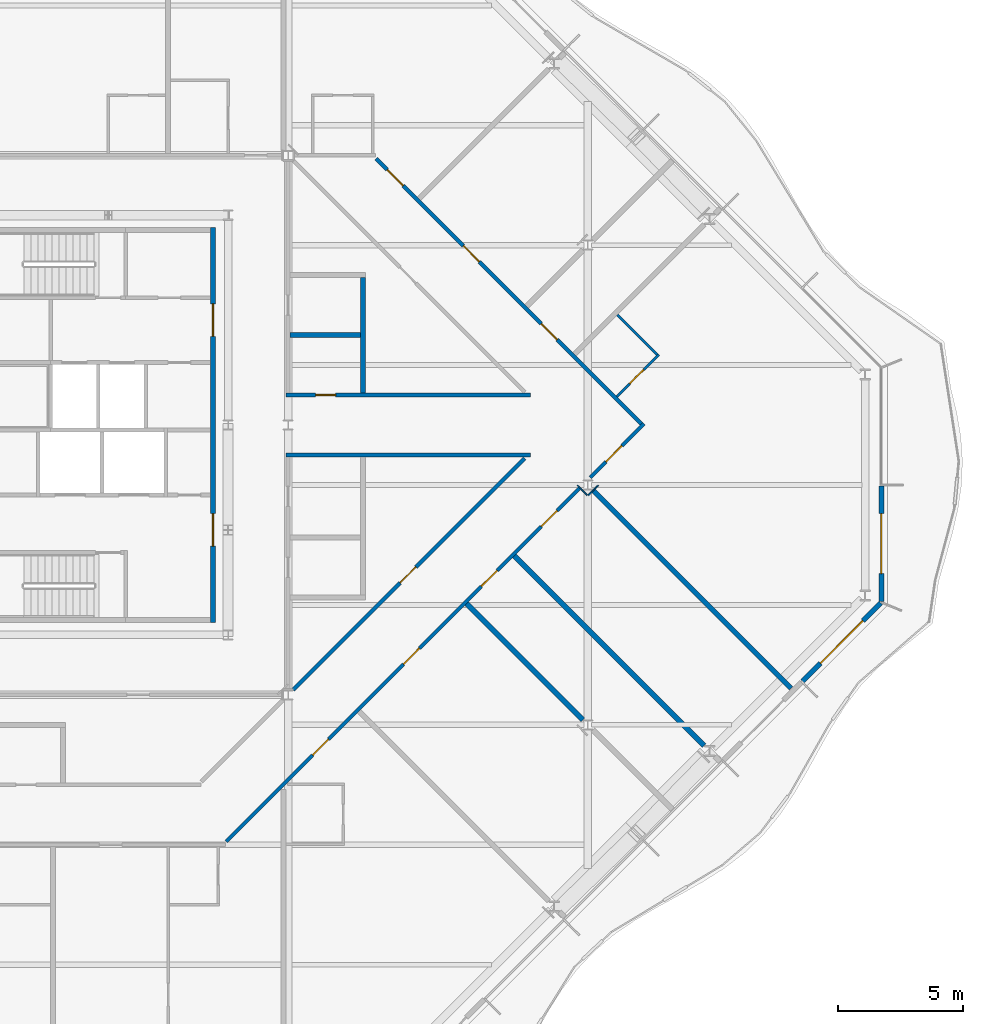
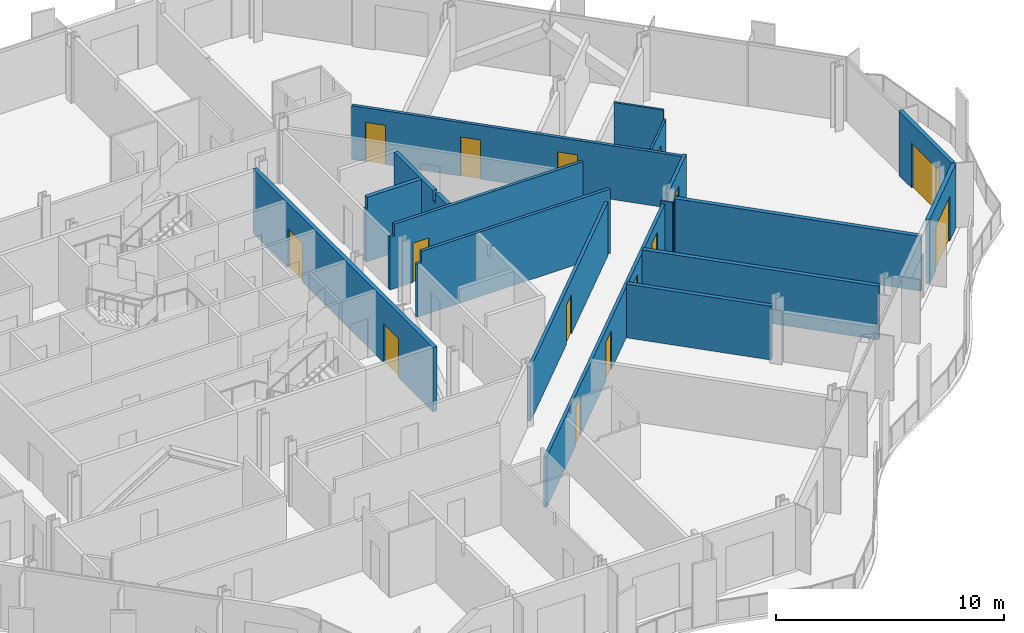
# One storey, part 10 of 17: 18 walls, 15 doors, 15 openings.
"""IFC4 building model written with IfcOpenShell, lengths in metres."""

from ifc_helpers import new_model, si_unit, direction, frame, frame_2d, origin, place, context, subcontext, project, spatial, polyline, rectangle, outline, extrude, material, layer, layer_set, type_object, element, fill, save


model = new_model("IFC4")

# Units and contexts
model_context = context("Model", 3, precision=1e-05, world=origin(), true_north=direction((0.0, 1.0)))
body_context = subcontext(model_context, "Body", "Model", "MODEL_VIEW")
ifc_project = project(units=[si_unit("LENGTHUNIT", "METRE"), si_unit("AREAUNIT", "SQUARE_METRE"), si_unit("VOLUMEUNIT", "CUBIC_METRE"), si_unit("PLANEANGLEUNIT", "RADIAN"), si_unit("MASSUNIT", "GRAM", prefix="KILO")], contexts=[model_context])

# Site, building, storey
site_placement = place(None, origin())
site = spatial("IfcSite", under=ifc_project, at=site_placement, CompositionType="ELEMENT")
building_placement = place(site_placement, origin())
building = spatial("IfcBuilding", under=site, at=building_placement, Name="Cairn Pilgrim Tower", CompositionType="ELEMENT")
storey_placement = place(building_placement, frame((0.0, 0.0, 221.39990234375)))
storey = spatial("IfcBuildingStorey", under=building, at=storey_placement, Name="L56", CompositionType="ELEMENT", Elevation=221.39990234375)

# Wall, opening, door
ifc_material_1 = material(Name="Bronze anodised aluminium insulated sandwich panel with mineral wool fill", Category="aluminium")
ifc_layer_1 = layer(ifc_material_1, 0.199951171875)
ifc_layer_set_1 = layer_set([ifc_layer_1], Name="BRONZE INFILL FRAME WALL 200")
wall_type_1 = type_object("IfcWallType", Name="BRONZE INFILL FRAME WALL 200", PredefinedType="NOTDEFINED", material=ifc_layer_set_1)
wall_1_placement = place(storey_placement, frame((39.795654296875, -7.850830078125, 0.0), z_axis=(0.0, 0.0, 1.0), x_axis=(0.707079168996, 0.707134392299, 0.0)))
wall_1 = element("IfcWall", 1, at=wall_1_placement, inside=storey, type_object=wall_type_1, Name="Bronze infill frame wall IW-SE6", PredefinedType="NOTDEFINED", context=body_context, shape_type="SweptSolid", body=[
    extrude(rectangle(XDim=4.4208984375, YDim=0.199951171875, at=frame_2d((2.21044921875, 0.0))), origin(), (0.0, 0.0, 1.0), 3.4501953125),
])
opening_1_placement = place(wall_1_placement, frame((1.015380859375, 0.0, 0.0)))
opening_1 = element("IfcOpeningElement", 2, at=opening_1_placement, cuts=wall_1, Name="Opening 5605B", PredefinedType="OPENING", context=body_context, shape_type="SweptSolid", body=[
    extrude(rectangle(XDim=2.39990234375, YDim=2.39990234375, at=frame_2d((1.199951171875, 1.199951171875))), frame((0.0, 0.10986328125, 0.0), z_axis=(0.0, -1.0, 0.0), x_axis=(1.0, 0.0, 0.0)), (0.0, 0.0, 1.0), 0.219970703125),
])
ifc_material_2 = material(Name="Bronze anodised aluminium frame with tinted low-E glass", Category="aluminium")
door_type_1 = type_object("IfcDoorType", Name="BALCONY SLIDING DOOR 2400x2400", OperationType="DOUBLE_DOOR_SLIDING", PredefinedType="DOOR", material=ifc_material_2)
door_1_placement = place(opening_1_placement, origin())
door_1 = element("IfcDoor", 3, at=door_1_placement, inside=storey, type_object=door_type_1, Name="Balcony sliding door 5605B", OperationType="SINGLE_SWING_LEFT", OverallHeight=2.39990234375, OverallWidth=2.39990234375, PredefinedType="DOOR", context=body_context, shape_type="SweptSolid", body=[
    extrude(rectangle(XDim=2.39990234375, YDim=2.39990234375, at=frame_2d((1.199951171875, 1.199951171875))), frame((0.0, 0.02490234375, 0.0), z_axis=(0.0, -1.0, 0.0), x_axis=(1.0, 0.0, 0.0)), (0.0, 0.0, 1.0), 0.050048828125),
])
fill(opening_1, door_1)

wall_2_placement = place(storey_placement, frame((42.949951171875, -4.656494140625, 0.0), z_axis=(0.0, 0.0, 1.0), x_axis=(0.0, 1.0, 0.0)))
wall_2 = element("IfcWall", 4, at=wall_2_placement, inside=storey, type_object=wall_type_1, Name="Bronze infill frame wall IW-E1", PredefinedType="NOTDEFINED", context=body_context, shape_type="SweptSolid", body=[
    extrude(rectangle(XDim=4.62646484375, YDim=0.199951171875, at=frame_2d((2.313232421875, 0.0))), origin(), (0.0, 0.0, 1.0), 3.4501953125),
])
opening_2_placement = place(wall_2_placement, frame((1.1083984375, 0.0, 0.0)))
opening_2 = element("IfcOpeningElement", 5, at=opening_2_placement, cuts=wall_2, Name="Opening 5605B2", PredefinedType="OPENING", context=body_context, shape_type="SweptSolid", body=[
    extrude(rectangle(XDim=2.39990234375, YDim=2.39990234375, at=frame_2d((1.199951171875, 1.199951171875))), frame((0.0, 0.10986328125, 0.0), z_axis=(0.0, -1.0, 0.0), x_axis=(1.0, 0.0, 0.0)), (0.0, 0.0, 1.0), 0.219970703125),
])
door_2_placement = place(opening_2_placement, origin())
door_2 = element("IfcDoor", 6, at=door_2_placement, inside=storey, type_object=door_type_1, Name="Balcony sliding door 5605B2", OperationType="SINGLE_SWING_LEFT", OverallHeight=2.39990234375, OverallWidth=2.39990234375, PredefinedType="DOOR", context=body_context, shape_type="SweptSolid", body=[
    extrude(rectangle(XDim=2.39990234375, YDim=2.39990234375, at=frame_2d((1.199951171875, 1.199951171875))), frame((0.0, 0.02490234375, 0.0), z_axis=(0.0, -1.0, 0.0), x_axis=(1.0, 0.0, 0.0)), (0.0, 0.0, 1.0), 0.050048828125),
])
fill(opening_2, door_2)

# Wall, openings, doors
ifc_material_3 = material(Name="Concrete C32/40", Category="concrete")
ifc_layer_2 = layer(ifc_material_3, 0.199951171875)
ifc_layer_set_2 = layer_set([ifc_layer_2], Name="CORE OUTER WALL 200 EI 120")
wall_type_2 = type_object("IfcWallType", Name="CORE OUTER WALL 200 EI 120", PredefinedType="SOLIDWALL", material=ifc_layer_set_2)
wall_3_placement = place(storey_placement, frame((16.199951171875, -5.5, 0.0), z_axis=(0.0, 0.0, 1.0), x_axis=(0.0, 1.0, 0.0)))
wall_3 = element("IfcWall", 7, at=wall_3_placement, inside=storey, type_object=wall_type_2, Name="CW:L56:V29", PredefinedType="SOLIDWALL", context=body_context, shape_type="SweptSolid", body=[
    extrude(rectangle(XDim=15.800048828125, YDim=0.199951171875, at=frame_2d((7.89990234375, 0.0))), origin(), (0.0, 0.0, 1.0), 3.4501953125),
])
opening_3_placement = place(wall_3_placement, frame((3.050048828125, 0.0, 0.0)))
opening_3 = element("IfcOpeningElement", 8, at=opening_3_placement, cuts=wall_3, Name="Opening CD-E1", PredefinedType="OPENING", context=body_context, shape_type="SweptSolid", body=[
    extrude(rectangle(XDim=1.300048828125, YDim=2.10009765625, at=frame_2d((0.64990234375, 1.050048828125))), frame((0.0, 0.10986328125, 0.0), z_axis=(0.0, -1.0, 0.0), x_axis=(1.0, 0.0, 0.0)), (0.0, 0.0, 1.0), 0.219970703125),
])
opening_4_placement = place(wall_3_placement, frame((11.449951171875, 0.0, 0.0)))
opening_4 = element("IfcOpeningElement", 9, at=opening_4_placement, cuts=wall_3, Name="Opening CD-E2", PredefinedType="OPENING", context=body_context, shape_type="SweptSolid", body=[
    extrude(rectangle(XDim=1.300048828125, YDim=2.10009765625, at=frame_2d((0.64990234375, 1.050048828125))), frame((0.0, 0.10986328125, 0.0), z_axis=(0.0, -1.0, 0.0), x_axis=(1.0, 0.0, 0.0)), (0.0, 0.0, 1.0), 0.219970703125),
])
ifc_material_4 = material(Name="Painted steel", Category="steel")
door_type_2 = type_object("IfcDoorType", Name="CORE LOBBY DOOR 1300x2100", OperationType="DOUBLE_DOOR_SINGLE_SWING", PredefinedType="DOOR", material=ifc_material_4)
door_3_placement = place(opening_3_placement, origin())
door_3 = element("IfcDoor", 10, at=door_3_placement, inside=storey, type_object=door_type_2, Name="CD-E1", OperationType="DOUBLE_DOOR_SINGLE_SWING", OverallHeight=2.10009765625, OverallWidth=1.300048828125, PredefinedType="DOOR", context=body_context, shape_type="SweptSolid", body=[
    extrude(rectangle(XDim=1.300048828125, YDim=2.10009765625, at=frame_2d((0.64990234375, 1.050048828125))), frame((0.0, 0.02490234375, 0.0), z_axis=(0.0, -1.0, 0.0), x_axis=(1.0, 0.0, 0.0)), (0.0, 0.0, 1.0), 0.050048828125),
])
fill(opening_3, door_3)
door_4_placement = place(opening_4_placement, origin())
door_4 = element("IfcDoor", 11, at=door_4_placement, inside=storey, type_object=door_type_2, Name="CD-E2", OperationType="DOUBLE_DOOR_SINGLE_SWING", OverallHeight=2.10009765625, OverallWidth=1.300048828125, PredefinedType="DOOR", context=body_context, shape_type="SweptSolid", body=[
    extrude(rectangle(XDim=1.300048828125, YDim=2.10009765625, at=frame_2d((0.64990234375, 1.050048828125))), frame((0.0, 0.02490234375, 0.0), z_axis=(0.0, -1.0, 0.0), x_axis=(1.0, 0.0, 0.0)), (0.0, 0.0, 1.0), 0.050048828125),
])
fill(opening_4, door_4)

# Wall, opening, door
ifc_material_5 = material(Name="Gypsum partition")
ifc_layer_3 = layer(ifc_material_5, 0.10009765625)
ifc_layer_set_3 = layer_set([ifc_layer_3], Name="PARTITION 100 DRYWALL")
wall_type_3 = type_object("IfcWallType", Name="PARTITION 100 DRYWALL", PredefinedType="PARTITIONING", material=ifc_layer_set_3)
wall_4_placement = place(storey_placement, frame((32.35888671875, 3.541015625, 0.0), z_axis=(0.0, 0.0, 1.0), x_axis=(0.707158179099, 0.707055379538, 0.0)))
wall_4 = element("IfcWall", 12, at=wall_4_placement, inside=storey, type_object=wall_type_3, Name="PARTITION W049", PredefinedType="PARTITIONING", context=body_context, shape_type="SweptSolid", body=[
    extrude(rectangle(XDim=2.375, YDim=0.10009765625, at=frame_2d((1.1875, 0.0))), origin(), (0.0, 0.0, 1.0), 2.93017578125),
])
opening_5_placement = place(wall_4_placement, frame((0.72509765625, 0.0, 0.0)))
opening_5 = element("IfcOpeningElement", 13, at=opening_5_placement, cuts=wall_4, Name="Opening 5605A", PredefinedType="OPENING", context=body_context, shape_type="SweptSolid", body=[
    extrude(rectangle(XDim=0.800048828125, YDim=2.10009765625, at=frame_2d((0.39990234375, 1.050048828125))), frame((0.0, 0.06005859375, 0.0), z_axis=(0.0, -1.0, 0.0), x_axis=(1.0, 0.0, 0.0)), (0.0, 0.0, 1.0), 0.1201171875),
])
ifc_material_6 = material(Name="Timber door leaf", Category="wood")
door_type_3 = type_object("IfcDoorType", Name="WC DOOR 800x2100", OperationType="NOTDEFINED", PredefinedType="DOOR", material=ifc_material_6)
door_5_placement = place(opening_5_placement, frame((0.800048828125, 0.0, 0.0), z_axis=(0.0, 0.0, 1.0), x_axis=(-1.0, 0.0, 0.0)))
door_5 = element("IfcDoor", 14, at=door_5_placement, inside=storey, type_object=door_type_3, Name="DOOR 5605A", OperationType="SINGLE_SWING_LEFT", OverallHeight=2.10009765625, OverallWidth=0.800048828125, PredefinedType="DOOR", context=body_context, shape_type="SweptSolid", body=[
    extrude(rectangle(XDim=0.800048828125, YDim=2.10009765625, at=frame_2d((0.39990234375, 1.050048828125))), frame((0.0, 0.02490234375, 0.0), z_axis=(0.0, -1.0, 0.0), x_axis=(1.0, 0.0, 0.0)), (0.0, 0.0, 1.0), 0.050048828125),
])
fill(opening_5, door_5)

# Wall
wall_5_placement = place(storey_placement, frame((33.967529296875, 5.220458984375, 0.0), z_axis=(0.0, 0.0, 1.0), x_axis=(-0.707106781187, 0.707106781187, 0.0)))
element("IfcWall", 15, at=wall_5_placement, inside=storey, type_object=wall_type_3, Name="PARTITION W055", PredefinedType="PARTITIONING", context=body_context, shape_type="SweptSolid", body=[
    extrude(rectangle(XDim=2.249755859375, YDim=0.10009765625, at=frame_2d((1.125, 0.0))), origin(), (0.0, 0.0, 1.0), 3.4501953125),
])

# Wall, openings, doors
ifc_layer_4 = layer(ifc_material_5, 0.14990234375)
ifc_layer_set_4 = layer_set([ifc_layer_4], Name="PARTITION 150 DRYWALL EI 60")
wall_type_4 = type_object("IfcWallType", Name="PARTITION 150 DRYWALL EI 60", PredefinedType="PARTITIONING", material=ifc_layer_set_4)
wall_6_placement = place(storey_placement, frame((16.721923828125, -14.27197265625, 0.0), z_axis=(0.0, 0.0, 1.0), x_axis=(0.707106781187, 0.707106781187, 0.0)))
wall_6 = element("IfcWall", 16, at=wall_6_placement, inside=storey, type_object=wall_type_4, Name="PARTITION W013", PredefinedType="PARTITIONING", context=body_context, shape_type="SweptSolid", body=[
    extrude(rectangle(XDim=20.04931640625, YDim=0.14990234375, at=frame_2d((10.024658203125, 0.0))), origin(), (0.0, 0.0, 1.0), 2.72998046875),
])
opening_6_placement = place(wall_6_placement, frame((4.891845703125, 0.0, 0.0)))
opening_6 = element("IfcOpeningElement", 17, at=opening_6_placement, cuts=wall_6, Name="Opening 5601", PredefinedType="OPENING", context=body_context, shape_type="SweptSolid", body=[
    extrude(rectangle(XDim=0.89990234375, YDim=2.10009765625, at=frame_2d((0.449951171875, 1.050048828125))), frame((0.0, 0.0849609375, 0.0), z_axis=(0.0, -1.0, 0.0), x_axis=(1.0, 0.0, 0.0)), (0.0, 0.0, 1.0), 0.169921875),
])
opening_7_placement = place(wall_6_placement, frame((10.0419921875, 0.0, 0.0)))
opening_7 = element("IfcOpeningElement", 18, at=opening_7_placement, cuts=wall_6, Name="Opening 5602", PredefinedType="OPENING", context=body_context, shape_type="SweptSolid", body=[
    extrude(rectangle(XDim=0.89990234375, YDim=2.10009765625, at=frame_2d((0.449951171875, 1.050048828125))), frame((0.0, 0.0849609375, 0.0), z_axis=(0.0, -1.0, 0.0), x_axis=(1.0, 0.0, 0.0)), (0.0, 0.0, 1.0), 0.169921875),
])
opening_8_placement = place(wall_6_placement, frame((14.443115234375, 0.0, 0.0)))
opening_8 = element("IfcOpeningElement", 19, at=opening_8_placement, cuts=wall_6, Name="Opening 5603", PredefinedType="OPENING", context=body_context, shape_type="SweptSolid", body=[
    extrude(rectangle(XDim=0.89990234375, YDim=2.10009765625, at=frame_2d((0.449951171875, 1.050048828125))), frame((0.0, 0.0849609375, 0.0), z_axis=(0.0, -1.0, 0.0), x_axis=(1.0, 0.0, 0.0)), (0.0, 0.0, 1.0), 0.169921875),
])
opening_9_placement = place(wall_6_placement, frame((17.837158203125, 0.0, 0.0)))
opening_9 = element("IfcOpeningElement", 20, at=opening_9_placement, cuts=wall_6, Name="Opening 5604", PredefinedType="OPENING", context=body_context, shape_type="SweptSolid", body=[
    extrude(rectangle(XDim=0.89990234375, YDim=2.10009765625, at=frame_2d((0.449951171875, 1.050048828125))), frame((0.0, 0.0849609375, 0.0), z_axis=(0.0, -1.0, 0.0), x_axis=(1.0, 0.0, 0.0)), (0.0, 0.0, 1.0), 0.169921875),
])
door_type_4 = type_object("IfcDoorType", Name="ROOM DOOR 900x2100 FD30S", OperationType="NOTDEFINED", PredefinedType="DOOR", material=ifc_material_6)
door_6_placement = place(opening_6_placement, frame((0.89990234375, 0.0, 0.0), z_axis=(0.0, 0.0, 1.0), x_axis=(-1.0, 0.0, 0.0)))
door_6 = element("IfcDoor", 21, at=door_6_placement, inside=storey, type_object=door_type_4, Name="DOOR 5601", OperationType="SINGLE_SWING_LEFT", OverallHeight=2.10009765625, OverallWidth=0.89990234375, PredefinedType="DOOR", context=body_context, shape_type="SweptSolid", body=[
    extrude(rectangle(XDim=0.89990234375, YDim=2.10009765625, at=frame_2d((0.449951171875, 1.050048828125))), frame((0.0, 0.02490234375, 0.0), z_axis=(0.0, -1.0, 0.0), x_axis=(1.0, 0.0, 0.0)), (0.0, 0.0, 1.0), 0.050048828125),
])
fill(opening_6, door_6)
door_type_5 = type_object("IfcDoorType", Name="SERVICE DOOR 900x2100 FD30S", OperationType="NOTDEFINED", PredefinedType="DOOR", material=ifc_material_6)
door_7_placement = place(opening_7_placement, frame((0.89990234375, 0.0, 0.0), z_axis=(0.0, 0.0, 1.0), x_axis=(-1.0, 0.0, 0.0)))
door_7 = element("IfcDoor", 22, at=door_7_placement, inside=storey, type_object=door_type_5, Name="DOOR 5602", OperationType="SINGLE_SWING_LEFT", OverallHeight=2.10009765625, OverallWidth=0.89990234375, PredefinedType="DOOR", context=body_context, shape_type="SweptSolid", body=[
    extrude(rectangle(XDim=0.89990234375, YDim=2.10009765625, at=frame_2d((0.449951171875, 1.050048828125))), frame((0.0, 0.02490234375, 0.0), z_axis=(0.0, -1.0, 0.0), x_axis=(1.0, 0.0, 0.0)), (0.0, 0.0, 1.0), 0.050048828125),
])
fill(opening_7, door_7)
door_8_placement = place(opening_8_placement, frame((0.89990234375, 0.0, 0.0), z_axis=(0.0, 0.0, 1.0), x_axis=(-1.0, 0.0, 0.0)))
door_8 = element("IfcDoor", 23, at=door_8_placement, inside=storey, type_object=door_type_5, Name="DOOR 5603", OperationType="SINGLE_SWING_LEFT", OverallHeight=2.10009765625, OverallWidth=0.89990234375, PredefinedType="DOOR", context=body_context, shape_type="SweptSolid", body=[
    extrude(rectangle(XDim=0.89990234375, YDim=2.10009765625, at=frame_2d((0.449951171875, 1.050048828125))), frame((0.0, 0.02490234375, 0.0), z_axis=(0.0, -1.0, 0.0), x_axis=(1.0, 0.0, 0.0)), (0.0, 0.0, 1.0), 0.050048828125),
])
fill(opening_8, door_8)
door_9_placement = place(opening_9_placement, frame((0.89990234375, 0.0, 0.0), z_axis=(0.0, 0.0, 1.0), x_axis=(-1.0, 0.0, 0.0)))
door_9 = element("IfcDoor", 24, at=door_9_placement, inside=storey, type_object=door_type_5, Name="DOOR 5604", OperationType="SINGLE_SWING_LEFT", OverallHeight=2.10009765625, OverallWidth=0.89990234375, PredefinedType="DOOR", context=body_context, shape_type="SweptSolid", body=[
    extrude(rectangle(XDim=0.89990234375, YDim=2.10009765625, at=frame_2d((0.449951171875, 1.050048828125))), frame((0.0, 0.02490234375, 0.0), z_axis=(0.0, -1.0, 0.0), x_axis=(1.0, 0.0, 0.0)), (0.0, 0.0, 1.0), 0.050048828125),
])
fill(opening_9, door_9)

# Wall, opening, door
wall_7_placement = place(storey_placement, frame((19.39794921875, -8.201904296875, 0.0), z_axis=(0.0, 0.0, 1.0), x_axis=(0.707116088468, 0.707097473782, 0.0)))
wall_7 = element("IfcWall", 25, at=wall_7_placement, inside=storey, type_object=wall_type_4, Name="PARTITION W034", PredefinedType="PARTITIONING", context=body_context, shape_type="SweptSolid", body=[
    extrude(rectangle(XDim=13.115478515625, YDim=0.14990234375, at=frame_2d((6.5576171875, 0.0))), origin(), (0.0, 0.0, 1.0), 2.880126953125),
])
opening_10_placement = place(wall_7_placement, frame((6.05810546875, 0.0, 0.0)))
opening_10 = element("IfcOpeningElement", 26, at=opening_10_placement, cuts=wall_7, Name="Opening 5620", PredefinedType="OPENING", context=body_context, shape_type="SweptSolid", body=[
    extrude(rectangle(XDim=0.89990234375, YDim=2.10009765625, at=frame_2d((0.449951171875, 1.050048828125))), frame((0.0, 0.0849609375, 0.0), z_axis=(0.0, -1.0, 0.0), x_axis=(1.0, 0.0, 0.0)), (0.0, 0.0, 1.0), 0.169921875),
])
door_10_placement = place(opening_10_placement, origin())
door_10 = element("IfcDoor", 27, at=door_10_placement, inside=storey, type_object=door_type_5, Name="DOOR 5620", OperationType="SINGLE_SWING_LEFT", OverallHeight=2.10009765625, OverallWidth=0.89990234375, PredefinedType="DOOR", context=body_context, shape_type="SweptSolid", body=[
    extrude(rectangle(XDim=0.89990234375, YDim=2.10009765625, at=frame_2d((0.449951171875, 1.050048828125))), frame((0.0, 0.02490234375, 0.0), z_axis=(0.0, -1.0, 0.0), x_axis=(1.0, 0.0, 0.0)), (0.0, 0.0, 1.0), 0.050048828125),
])
fill(opening_10, door_10)

wall_8_placement = place(storey_placement, frame((31.294921875, 0.301025390625, 0.0), z_axis=(0.0, 0.0, 1.0), x_axis=(0.707146890479, 0.707066669618, 0.0)))
wall_8 = element("IfcWall", 28, at=wall_8_placement, inside=storey, type_object=wall_type_4, Name="PARTITION W044", PredefinedType="PARTITIONING", context=body_context, shape_type="SweptSolid", body=[
    extrude(rectangle(XDim=3.04345703125, YDim=0.14990234375, at=frame_2d((1.521728515625, 0.0))), origin(), (0.0, 0.0, 1.0), 2.93017578125),
])
opening_11_placement = place(wall_8_placement, frame((0.89453125, 0.0, 0.0)))
opening_11 = element("IfcOpeningElement", 29, at=opening_11_placement, cuts=wall_8, Name="Opening 5605", PredefinedType="OPENING", context=body_context, shape_type="SweptSolid", body=[
    extrude(rectangle(XDim=0.89990234375, YDim=2.10009765625, at=frame_2d((0.449951171875, 1.050048828125))), frame((0.0, 0.0849609375, 0.0), z_axis=(0.0, -1.0, 0.0), x_axis=(1.0, 0.0, 0.0)), (0.0, 0.0, 1.0), 0.169921875),
])
door_11_placement = place(opening_11_placement, frame((0.89990234375, 0.0, 0.0), z_axis=(0.0, 0.0, 1.0), x_axis=(-1.0, 0.0, 0.0)))
door_11 = element("IfcDoor", 30, at=door_11_placement, inside=storey, type_object=door_type_4, Name="DOOR 5605", OperationType="SINGLE_SWING_LEFT", OverallHeight=2.10009765625, OverallWidth=0.89990234375, PredefinedType="DOOR", context=body_context, shape_type="SweptSolid", body=[
    extrude(rectangle(XDim=0.89990234375, YDim=2.10009765625, at=frame_2d((0.449951171875, 1.050048828125))), frame((0.0, 0.02490234375, 0.0), z_axis=(0.0, -1.0, 0.0), x_axis=(1.0, 0.0, 0.0)), (0.0, 0.0, 1.0), 0.050048828125),
])
fill(opening_11, door_11)

# Wall
wall_9_placement = place(storey_placement, frame((19.125, 1.199951171875, 0.0), z_axis=(0.0, 0.0, 1.0), x_axis=(1.0, 0.0, 0.0)))
element("IfcWall", 31, at=wall_9_placement, inside=storey, type_object=wall_type_4, Name="PARTITION W045", PredefinedType="PARTITIONING", context=body_context, shape_type="SweptSolid", body=[
    extrude(outline(polyline([(0.0, 0.0), (9.781005859375, 0.0), (9.781005859375, 3.4501953125), (0.22509765625, 3.4501953125), (0.222900390625, 2.830078125), (0.0, 2.830078125), (0.0, 0.0)])), frame((0.0, 0.074951171875, 0.0), z_axis=(0.0, -1.0, 0.0), x_axis=(1.0, 0.0, 0.0)), (0.0, 0.0, 1.0), 0.14990234375),
])

# Wall, openings, doors
wall_10_placement = place(storey_placement, frame((33.341064453125, 2.452880859375, 0.0), z_axis=(0.0, 0.0, 1.0), x_axis=(-0.707098652635, 0.707114909645, 0.0)))
wall_10 = element("IfcWall", 32, at=wall_10_placement, inside=storey, type_object=wall_type_4, Name="PARTITION W047", PredefinedType="PARTITIONING", context=body_context, shape_type="SweptSolid", body=[
    extrude(rectangle(XDim=15.017578125, YDim=0.14990234375, at=frame_2d((7.5087890625, 0.0))), origin(), (0.0, 0.0, 1.0), 2.880126953125),
])
opening_12_placement = place(wall_10_placement, frame((4.765625, 0.0, 0.0)))
opening_12 = element("IfcOpeningElement", 33, at=opening_12_placement, cuts=wall_10, Name="Opening 5606", PredefinedType="OPENING", context=body_context, shape_type="SweptSolid", body=[
    extrude(rectangle(XDim=0.89990234375, YDim=2.10009765625, at=frame_2d((0.449951171875, 1.050048828125))), frame((0.0, 0.0849609375, 0.0), z_axis=(0.0, -1.0, 0.0), x_axis=(1.0, 0.0, 0.0)), (0.0, 0.0, 1.0), 0.169921875),
])
opening_13_placement = place(wall_10_placement, frame((9.166748046875, 0.0, 0.0)))
opening_13 = element("IfcOpeningElement", 34, at=opening_13_placement, cuts=wall_10, Name="Opening 5607", PredefinedType="OPENING", context=body_context, shape_type="SweptSolid", body=[
    extrude(rectangle(XDim=0.89990234375, YDim=2.10009765625, at=frame_2d((0.449951171875, 1.050048828125))), frame((0.0, 0.0849609375, 0.0), z_axis=(0.0, -1.0, 0.0), x_axis=(1.0, 0.0, 0.0)), (0.0, 0.0, 1.0), 0.169921875),
])
opening_14_placement = place(wall_10_placement, frame((13.482421875, 0.0, 0.0)))
opening_14 = element("IfcOpeningElement", 35, at=opening_14_placement, cuts=wall_10, Name="Opening 5608", PredefinedType="OPENING", context=body_context, shape_type="SweptSolid", body=[
    extrude(rectangle(XDim=0.89990234375, YDim=2.10009765625, at=frame_2d((0.449951171875, 1.050048828125))), frame((0.0, 0.0849609375, 0.0), z_axis=(0.0, -1.0, 0.0), x_axis=(1.0, 0.0, 0.0)), (0.0, 0.0, 1.0), 0.169921875),
])
door_12_placement = place(opening_14_placement, frame((0.89990234375, 0.0, 0.0), z_axis=(0.0, 0.0, 1.0), x_axis=(-1.0, 0.0, 0.0)))
door_12 = element("IfcDoor", 36, at=door_12_placement, inside=storey, type_object=door_type_4, Name="DOOR 5608", OperationType="SINGLE_SWING_LEFT", OverallHeight=2.10009765625, OverallWidth=0.89990234375, PredefinedType="DOOR", context=body_context, shape_type="SweptSolid", body=[
    extrude(rectangle(XDim=0.89990234375, YDim=2.10009765625, at=frame_2d((0.449951171875, 1.050048828125))), frame((0.0, 0.02490234375, 0.0), z_axis=(0.0, -1.0, 0.0), x_axis=(1.0, 0.0, 0.0)), (0.0, 0.0, 1.0), 0.050048828125),
])
fill(opening_14, door_12)
door_13_placement = place(opening_12_placement, frame((0.89990234375, 0.0, 0.0), z_axis=(0.0, 0.0, 1.0), x_axis=(-1.0, 0.0, 0.0)))
door_13 = element("IfcDoor", 37, at=door_13_placement, inside=storey, type_object=door_type_5, Name="DOOR 5606", OperationType="SINGLE_SWING_LEFT", OverallHeight=2.10009765625, OverallWidth=0.89990234375, PredefinedType="DOOR", context=body_context, shape_type="SweptSolid", body=[
    extrude(rectangle(XDim=0.89990234375, YDim=2.10009765625, at=frame_2d((0.449951171875, 1.050048828125))), frame((0.0, 0.02490234375, 0.0), z_axis=(0.0, -1.0, 0.0), x_axis=(1.0, 0.0, 0.0)), (0.0, 0.0, 1.0), 0.050048828125),
])
fill(opening_12, door_13)
door_14_placement = place(opening_13_placement, frame((0.89990234375, 0.0, 0.0), z_axis=(0.0, 0.0, 1.0), x_axis=(-1.0, 0.0, 0.0)))
door_14 = element("IfcDoor", 38, at=door_14_placement, inside=storey, type_object=door_type_5, Name="DOOR 5607", OperationType="SINGLE_SWING_LEFT", OverallHeight=2.10009765625, OverallWidth=0.89990234375, PredefinedType="DOOR", context=body_context, shape_type="SweptSolid", body=[
    extrude(rectangle(XDim=0.89990234375, YDim=2.10009765625, at=frame_2d((0.449951171875, 1.050048828125))), frame((0.0, 0.02490234375, 0.0), z_axis=(0.0, -1.0, 0.0), x_axis=(1.0, 0.0, 0.0)), (0.0, 0.0, 1.0), 0.050048828125),
])
fill(opening_13, door_14)

# Wall, opening, door
wall_11_placement = place(storey_placement, frame((19.125, 3.60009765625, 0.0), z_axis=(0.0, 0.0, 1.0), x_axis=(1.0, 0.0, 0.0)))
wall_11 = element("IfcWall", 39, at=wall_11_placement, inside=storey, type_object=wall_type_4, Name="PARTITION W050", PredefinedType="PARTITIONING", context=body_context, shape_type="SweptSolid", body=[
    extrude(outline(polyline([(0.0, 0.0), (9.781005859375, 0.0), (9.781005859375, 3.4501953125), (0.22509765625, 3.4501953125), (0.222900390625, 2.830078125), (0.0, 2.830078125), (0.0, 0.0)])), frame((0.0, 0.074951171875, 0.0), z_axis=(0.0, -1.0, 0.0), x_axis=(1.0, 0.0, 0.0)), (0.0, 0.0, 1.0), 0.14990234375),
])
opening_15_placement = place(wall_11_placement, frame((1.175048828125, 0.0, 0.0)))
opening_15 = element("IfcOpeningElement", 40, at=opening_15_placement, cuts=wall_11, Name="Opening 5616", PredefinedType="OPENING", context=body_context, shape_type="SweptSolid", body=[
    extrude(rectangle(XDim=0.800048828125, YDim=2.10009765625, at=frame_2d((0.39990234375, 1.050048828125))), frame((0.0, 0.0849609375, 0.0), z_axis=(0.0, -1.0, 0.0), x_axis=(1.0, 0.0, 0.0)), (0.0, 0.0, 1.0), 0.169921875),
])
door_type_6 = type_object("IfcDoorType", Name="WC DOOR 800x2100 FD30S", OperationType="NOTDEFINED", PredefinedType="DOOR", material=ifc_material_6)
door_15_placement = place(opening_15_placement, origin())
door_15 = element("IfcDoor", 41, at=door_15_placement, inside=storey, type_object=door_type_6, Name="DOOR 5616", OperationType="SINGLE_SWING_RIGHT", OverallHeight=2.10009765625, OverallWidth=0.800048828125, PredefinedType="DOOR", context=body_context, shape_type="SweptSolid", body=[
    extrude(rectangle(XDim=0.800048828125, YDim=2.10009765625, at=frame_2d((0.39990234375, 1.050048828125))), frame((0.0, 0.02490234375, 0.0), z_axis=(0.0, -1.0, 0.0), x_axis=(1.0, 0.0, 0.0)), (0.0, 0.0, 1.0), 0.050048828125),
])
fill(opening_15, door_15)

# Walls
ifc_layer_5 = layer(ifc_material_5, 0.050048828125)
ifc_layer_set_5 = layer_set([ifc_layer_5], Name="PARTITION 50 DRYWALL EI 60")
wall_type_5 = type_object("IfcWallType", Name="PARTITION 50 DRYWALL EI 60", PredefinedType="PARTITIONING", material=ifc_layer_set_5)
for number, where, z_axis, x_axis, name in (
    (42, (31.2177734375, -0.413818359375, 0.0), (0.0, 0.0, 1.0), (0.706888841063, 0.707324654159, 0.0), "COLUMN CASING WC03"),
    (43, (31.182373046875, -0.413818359375, 0.0), (0.0, 0.0, 1.0), (-0.706888841063, 0.707324654159, 0.0), "COLUMN CASING WC15"),
):
    element("IfcWall", number, at=place(storey_placement, frame(where, z_axis=z_axis, x_axis=x_axis)), inside=storey, type_object=wall_type_5, Name=name, PredefinedType="PARTITIONING", context=body_context, shape_type="SweptSolid", body=[
        extrude(rectangle(XDim=0.560302734375, YDim=0.050048828125, at=frame_2d((0.2802734375, 0.0))), origin(), (0.0, 0.0, 1.0), 2.880126953125),
    ])
ifc_layer_6 = layer(ifc_material_5, 0.199951171875)
ifc_layer_set_6 = layer_set([ifc_layer_6], Name="SHAFT WALL 200 GYPSUM EI 60")
wall_type_6 = type_object("IfcWallType", Name="SHAFT WALL 200 GYPSUM EI 60", PredefinedType="PARTITIONING", material=ifc_layer_set_6)
wall_12_placement = place(storey_placement, frame((35.860107421875, -10.43603515625, 0.0), z_axis=(0.0, 0.0, 1.0), x_axis=(-0.707106781187, 0.707106781187, 0.0)))
element("IfcWall", 44, at=wall_12_placement, inside=storey, type_object=wall_type_6, Name="PARTITION W027", PredefinedType="PARTITIONING", context=body_context, shape_type="SweptSolid", body=[
    extrude(rectangle(XDim=10.745361328125, YDim=0.199951171875, at=frame_2d((5.37255859375, 0.0))), origin(), (0.0, 0.0, 1.0), 2.880126953125),
])
wall_13_placement = place(storey_placement, frame((31.001953125, -9.402099609375, 0.0), z_axis=(0.0, 0.0, 1.0), x_axis=(-0.707088226093, 0.707125335793, 0.0)))
element("IfcWall", 45, at=wall_13_placement, inside=storey, type_object=wall_type_6, Name="PARTITION W029", PredefinedType="PARTITIONING", context=body_context, shape_type="SweptSolid", body=[
    extrude(rectangle(XDim=6.578857421875, YDim=0.199951171875, at=frame_2d((3.28955078125, 0.0))), origin(), (0.0, 0.0, 1.0), 2.880126953125),
])
wall_14_placement = place(storey_placement, frame((39.331298828125, -8.13134765625, 0.0), z_axis=(0.0, 0.0, 1.0), x_axis=(-0.707106781187, 0.707106781187, 0.0)))
element("IfcWall", 46, at=wall_14_placement, inside=storey, type_object=wall_type_6, Name="PARTITION W035", PredefinedType="PARTITIONING", context=body_context, shape_type="SweptSolid", body=[
    extrude(rectangle(XDim=11.219482421875, YDim=0.199951171875, at=frame_2d((5.60986328125, 0.0))), origin(), (0.0, 0.0, 1.0), 2.93017578125),
])
wall_15_placement = place(storey_placement, frame((22.199951171875, 3.675048828125, 0.0), z_axis=(0.0, 0.0, 1.0), x_axis=(0.0, 1.0, 0.0)))
element("IfcWall", 47, at=wall_15_placement, inside=storey, type_object=wall_type_6, Name="PARTITION W052", PredefinedType="PARTITIONING", context=body_context, shape_type="SweptSolid", body=[
    extrude(outline(polyline([(0.0, 0.0), (4.625, 0.0), (4.625, 3.4501953125), (1.22998046875, 3.4501953125), (1.22802734375, 2.880126953125), (1.02001953125, 2.880126953125), (1.01806640625, 3.4501953125), (0.0, 3.4501953125), (0.0, 0.0)])), frame((0.0, 0.10009765625, 0.0), z_axis=(0.0, -1.0, 0.0), x_axis=(1.0, 0.0, 0.0)), (0.0, 0.0, 1.0), 0.199951171875),
])
wall_16_placement = place(storey_placement, frame((19.27490234375, 6.0, 0.0), z_axis=(0.0, 0.0, 1.0), x_axis=(1.0, 0.0, 0.0)))
element("IfcWall", 48, at=wall_16_placement, inside=storey, type_object=wall_type_6, Name="PARTITION W056", PredefinedType="PARTITIONING", context=body_context, shape_type="SweptSolid", body=[
    extrude(outline(polyline([(0.0, 0.0), (2.8251953125, 0.0), (2.824951171875, 3.4501953125), (0.074951171875, 3.4501953125), (0.072998046875, 2.830078125), (0.0, 2.830078125), (0.0, 0.0)])), frame((0.0, 0.10009765625, 0.0), z_axis=(0.0, -1.0, 0.0), x_axis=(1.0, 0.0, 0.0)), (0.0, 0.0, 1.0), 0.199951171875),
])

save(model, "model.ifc")
